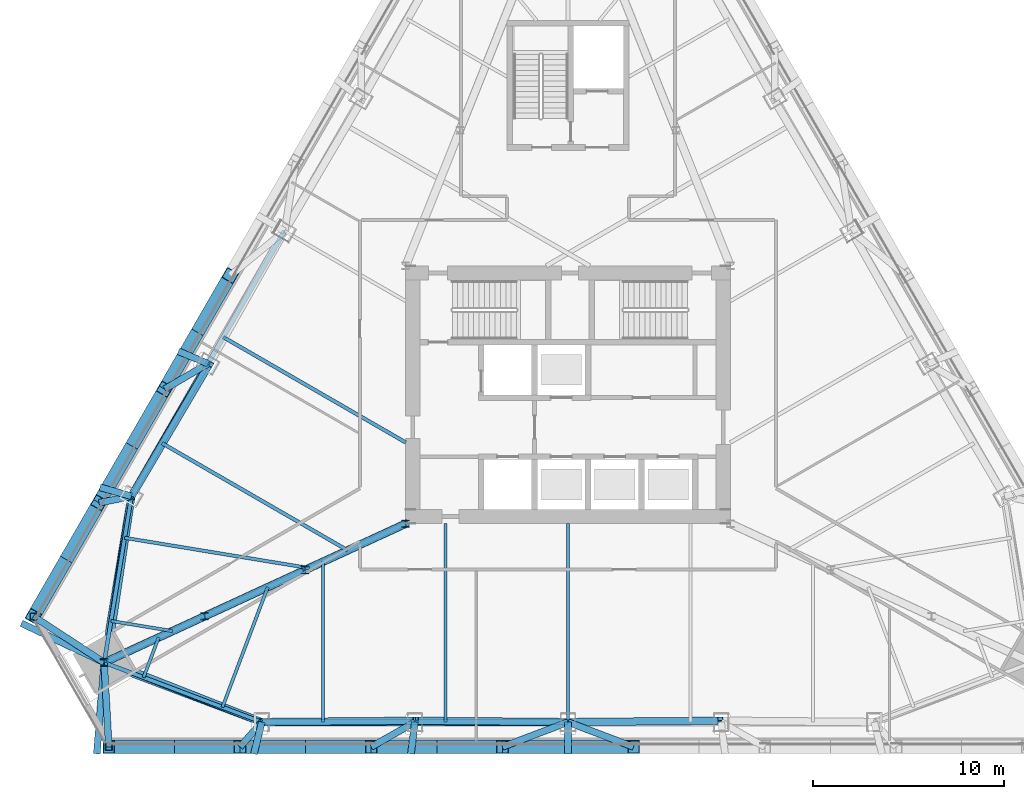
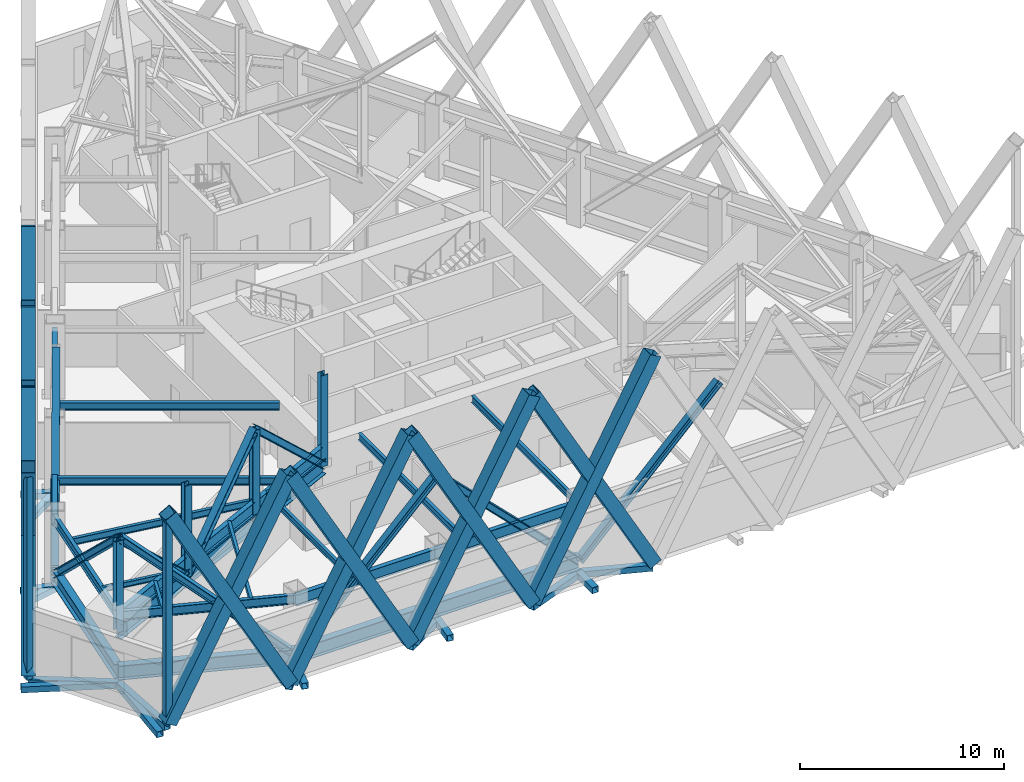
# One storey, part 2 of 16: 52 members, 14 beams.
"""IFC4 building model written with IfcOpenShell, lengths in metres."""

from ifc_helpers import new_model, si_unit, direction, frame, origin, origin_2d, place, context, subcontext, project, spatial, hollow_rectangle, i_section, extrude, material, material_profile, profile_set, type_object, element, save


model = new_model("IFC4")

# Units and contexts
model_context = context("Model", 3, precision=1e-05, world=origin(), true_north=direction((0.0, 1.0)))
body_context = subcontext(model_context, "Body", "Model", "MODEL_VIEW")
ifc_project = project(units=[si_unit("LENGTHUNIT", "METRE"), si_unit("AREAUNIT", "SQUARE_METRE"), si_unit("VOLUMEUNIT", "CUBIC_METRE"), si_unit("PLANEANGLEUNIT", "RADIAN"), si_unit("MASSUNIT", "GRAM", prefix="KILO")], contexts=[model_context])

# Site, building, storey
site_placement = place(None, origin())
site = spatial("IfcSite", under=ifc_project, at=site_placement, CompositionType="ELEMENT")
building_placement = place(site_placement, origin())
building = spatial("IfcBuilding", under=site, at=building_placement, Name="Firuza Gate Tower and Library", CompositionType="ELEMENT")
storey_placement = place(building_placement, frame((0.0, 0.0, 247.60009765625)))
storey = spatial("IfcBuildingStorey", under=building, at=storey_placement, Name="L58", CompositionType="ELEMENT", Elevation=247.60009765625)

# Members
ifc_material_1 = material(Name="Steel S355", Category="steel")
ifc_material_profile_1 = material_profile(ifc_material_1, hollow_rectangle(XDim=0.699951171875, YDim=0.699951171875, WallThickness=0.030029296875, at=origin_2d()))
ifc_profile_set_1 = profile_set([ifc_material_profile_1], Name="Steel S355")
member_type_1 = type_object("IfcMemberType", Name="BU700x700x30 Lattice brace", PredefinedType="BRACE", material=ifc_profile_set_1)
for number, where, z_axis, x_axis, name in (
    (1, (50.949951171875, 56.557861328125, 0.0), (0.481734771435, 0.0, 0.876317071607), (0.0, 1.0, 0.0), "Lattice brace S 14.1R"),
    (2, (57.821533203125, 56.557861328125, 0.0), (-0.481734771435, 0.0, 0.876317071607), (0.0, -1.0, 0.0), "Lattice brace S 14.1L"),
    (3, (57.821533203125, 56.557861328125, 0.0), (0.481721627687, 0.0, 0.876324296947), (0.0, 1.0, 0.0), "Lattice brace S 14.2R"),
    (4, (64.69287109375, 56.557861328125, 0.0), (-0.481721627687, 0.0, 0.876324296947), (0.0, -1.0, 0.0), "Lattice brace S 14.2L"),
    (5, (64.69287109375, 56.557861328125, 0.0), (0.481721627687, 0.0, 0.876324296947), (0.0, 1.0, 0.0), "Lattice brace S 14.3R"),
    (6, (71.564208984375, 56.557861328125, 0.0), (-0.481721627687, 0.0, 0.876324296947), (0.0, -1.0, 0.0), "Lattice brace S 14.3L"),
    (7, (71.564208984375, 56.557861328125, 0.0), (0.481734771435, 0.0, 0.876317071607), (0.0, 1.0, 0.0), "Lattice brace S 14.4R"),
    (8, (78.435791015625, 56.557861328125, 0.0), (-0.481734771435, 0.0, 0.876317071607), (0.0, -1.0, 0.0), "Lattice brace S 14.4L"),
    (9, (57.310791015625, 81.24560546875, 0.0), (-0.240869365347, -0.417178278333, 0.876324273842), (0.866015179631, -0.500017708335, 0.0), "Lattice brace W 14.5R"),
    (10, (53.875, 75.294921875, 0.0), (0.240869365347, 0.417178278333, 0.876324273842), (-0.866015179631, 0.500017708335, 0.0), "Lattice brace W 14.5L"),
    (11, (53.875, 75.294921875, 0.0), (-0.24086764545, -0.417192415111, 0.876318016561), (0.866024062422, -0.500002323301, 0.0), "Lattice brace W 14.6R"),
    (12, (50.439208984375, 69.343994140625, 0.0), (0.24086764545, 0.417192415111, 0.876318016561), (-0.866024062422, 0.500002323301, 0.0), "Lattice brace W 14.6L"),
    (13, (50.439208984375, 69.343994140625, 0.0), (-0.240851522763, -0.417194134974, 0.876321629156), (0.866039446924, -0.499975675779, 0.0), "Lattice brace W 14.7R"),
    (14, (47.003662109375, 63.39306640625, 0.0), (0.240851522763, 0.417194134974, 0.876321629156), (-0.866039446924, 0.499975675779, 0.0), "Lattice brace W 14.7L"),
):
    element("IfcMember", number, at=place(storey_placement, frame(where, z_axis=z_axis, x_axis=x_axis)), inside=storey, type_object=member_type_1, Name=name, PredefinedType="BRACE", context=body_context, shape_type="SweptSolid", body=[
        extrude(hollow_rectangle(XDim=0.699951171875, YDim=0.699951171875, WallThickness=0.030029296875, at=origin_2d()), origin(), (0.0, 0.0, 1.0), 14.26416015625),
    ])
ifc_material_2 = material(Name="Steel S355", Category="steel")
ifc_material_profile_2 = material_profile(ifc_material_2, hollow_rectangle(XDim=0.355712890625, YDim=0.355712890625, WallThickness=0.014892578125, at=origin_2d()))
ifc_profile_set_2 = profile_set([ifc_material_profile_2], Name="Steel S355")
member_type_2 = type_object("IfcMemberType", Name="HSS356x356x16 Lattice corner stile", PredefinedType="BRACE", material=ifc_profile_set_2)
for number, where, z_axis, x_axis, name in (
    (15, (50.949951171875, 56.557861328125, -0.14013671875), (0.0, 0.0, 1.0), (1.0, 0.0, 0.0), "Lattice corner stile S 14.A"),
    (16, (47.003662109375, 63.39306640625, -0.14013671875), (0.0, 0.0, 1.0), (1.0, 0.0, 0.0), "Lattice corner stile W 14.B"),
):
    element("IfcMember", number, at=place(storey_placement, frame(where, z_axis=z_axis, x_axis=x_axis)), inside=storey, type_object=member_type_2, Name=name, PredefinedType="BRACE", context=body_context, shape_type="SweptSolid", body=[
        extrude(hollow_rectangle(XDim=0.355712890625, YDim=0.355712890625, WallThickness=0.014892578125, at=origin_2d()), origin(), (0.0, 0.0, 1.0), 12.14013671875),
    ])
ifc_material_3 = material(Name="Steel S355", Category="steel")
ifc_material_profile_3 = material_profile(ifc_material_3, hollow_rectangle(XDim=0.355712890625, YDim=0.355712890625, WallThickness=0.014892578125, at=origin_2d()))
ifc_profile_set_3 = profile_set([ifc_material_profile_3], Name="Steel S355")
member_type_3 = type_object("IfcMemberType", Name="HSS356x356x16 Lattice node tie", PredefinedType="BRACE", material=ifc_profile_set_3)
member_1_placement = place(storey_placement, frame((50.708740234375, 60.9755859375, -0.320068359375), z_axis=(-0.080344210423, -0.996767178358, 0.0), x_axis=(0.996767178358, -0.080344210423, 0.0)))
element("IfcMember", 17, at=member_1_placement, inside=storey, type_object=member_type_3, Name="Lattice node tie S L58 337", PredefinedType="BRACE", context=body_context, shape_type="SweptSolid", body=[
    extrude(hollow_rectangle(XDim=0.355712890625, YDim=0.355712890625, WallThickness=0.014892578125, at=origin_2d()), origin(), (0.0, 0.0, 1.0), 4.794921875),
])
member_2_placement = place(storey_placement, frame((50.708740234375, 60.9755859375, -0.320068359375), z_axis=(0.054519511079, -0.998512705433, 0.0), x_axis=(0.998512705433, 0.054519511079, 0.0)))
element("IfcMember", 18, at=member_2_placement, inside=storey, type_object=member_type_3, Name="Lattice node tie S L58 338", PredefinedType="BRACE", context=body_context, shape_type="SweptSolid", body=[
    extrude(hollow_rectangle(XDim=0.355712890625, YDim=0.355712890625, WallThickness=0.014892578125, at=origin_2d()), origin(), (0.0, 0.0, 1.0), 4.42431640625),
])
member_3_placement = place(storey_placement, frame((58.966552734375, 57.85791015625, -0.320068359375), z_axis=(-0.660945524086, -0.750433883957, 0.0), x_axis=(0.750433883957, -0.660945524086, 0.0)))
element("IfcMember", 19, at=member_3_placement, inside=storey, type_object=member_type_3, Name="Lattice node tie S L58 339", PredefinedType="BRACE", context=body_context, shape_type="SweptSolid", body=[
    extrude(hollow_rectangle(XDim=0.355712890625, YDim=0.355712890625, WallThickness=0.014892578125, at=origin_2d()), origin(), (0.0, 0.0, 1.0), 1.732421875),
])
member_4_placement = place(storey_placement, frame((58.966552734375, 57.85791015625, -0.320068359375), z_axis=(-0.243775802873, -0.969831613185, 0.0), x_axis=(0.969831613185, -0.243775802873, 0.0)))
element("IfcMember", 20, at=member_4_placement, inside=storey, type_object=member_type_3, Name="Lattice node tie S L58 340", PredefinedType="BRACE", context=body_context, shape_type="SweptSolid", body=[
    extrude(hollow_rectangle(XDim=0.355712890625, YDim=0.355712890625, WallThickness=0.014892578125, at=origin_2d()), origin(), (0.0, 0.0, 1.0), 1.713623046875),
])
member_5_placement = place(storey_placement, frame((66.9833984375, 57.85791015625, -0.320068359375), z_axis=(-0.86968268875, -0.493611204177, 0.0), x_axis=(0.493611204177, -0.86968268875, 0.0)))
element("IfcMember", 21, at=member_5_placement, inside=storey, type_object=member_type_3, Name="Lattice node tie S L58 341", PredefinedType="BRACE", context=body_context, shape_type="SweptSolid", body=[
    extrude(hollow_rectangle(XDim=0.355712890625, YDim=0.355712890625, WallThickness=0.014892578125, at=origin_2d()), origin(), (0.0, 0.0, 1.0), 2.6337890625),
])
member_6_placement = place(storey_placement, frame((66.9833984375, 57.85791015625, -0.320068359375), z_axis=(-0.124770225929, -0.992185663433, 0.0), x_axis=(0.992185663433, -0.124770225929, 0.0)))
element("IfcMember", 22, at=member_6_placement, inside=storey, type_object=member_type_3, Name="Lattice node tie S L58 342", PredefinedType="BRACE", context=body_context, shape_type="SweptSolid", body=[
    extrude(hollow_rectangle(XDim=0.355712890625, YDim=0.355712890625, WallThickness=0.014892578125, at=origin_2d()), origin(), (0.0, 0.0, 1.0), 1.675048828125),
])
member_7_placement = place(storey_placement, frame((75.0, 57.85791015625, -0.320068359375), z_axis=(-0.935284473867, -0.353896811152, 0.0), x_axis=(0.353896811152, -0.935284473867, 0.0)))
element("IfcMember", 23, at=member_7_placement, inside=storey, type_object=member_type_3, Name="Lattice node tie S L58 343", PredefinedType="BRACE", context=body_context, shape_type="SweptSolid", body=[
    extrude(hollow_rectangle(XDim=0.355712890625, YDim=0.355712890625, WallThickness=0.014892578125, at=origin_2d()), origin(), (0.0, 0.0, 1.0), 3.673583984375),
])
member_8_placement = place(storey_placement, frame((75.0, 57.85791015625, -0.320068359375), z_axis=(0.0, -1.0, 0.0), x_axis=(1.0, 0.0, 0.0)))
element("IfcMember", 24, at=member_8_placement, inside=storey, type_object=member_type_3, Name="Lattice node tie S L58 344", PredefinedType="BRACE", context=body_context, shape_type="SweptSolid", body=[
    extrude(hollow_rectangle(XDim=0.355712890625, YDim=0.355712890625, WallThickness=0.014892578125, at=origin_2d()), origin(), (0.0, 0.0, 1.0), 1.661865234375),
])
member_9_placement = place(storey_placement, frame((75.0, 57.85791015625, -0.320068359375), z_axis=(0.935284473867, -0.353896811152, 0.0), x_axis=(0.353896811152, 0.935284473867, 0.0)))
element("IfcMember", 25, at=member_9_placement, inside=storey, type_object=member_type_3, Name="Lattice node tie S L58 345", PredefinedType="BRACE", context=body_context, shape_type="SweptSolid", body=[
    extrude(hollow_rectangle(XDim=0.355712890625, YDim=0.355712890625, WallThickness=0.014892578125, at=origin_2d()), origin(), (0.0, 0.0, 1.0), 3.673583984375),
])
member_10_placement = place(storey_placement, frame((52.1376953125, 69.685791015625, -0.320068359375), z_axis=(-0.980346931296, -0.197281256837, 0.0), x_axis=(0.197281256837, -0.980346931296, 0.0)))
element("IfcMember", 26, at=member_10_placement, inside=storey, type_object=member_type_3, Name="Lattice node tie W L58 352", PredefinedType="BRACE", context=body_context, shape_type="SweptSolid", body=[
    extrude(hollow_rectangle(XDim=0.355712890625, YDim=0.355712890625, WallThickness=0.014892578125, at=origin_2d()), origin(), (0.0, 0.0, 1.0), 1.732421875),
])
member_11_placement = place(storey_placement, frame((50.708740234375, 60.9755859375, -0.320068359375), z_axis=(-0.903414110415, 0.42876910465, 0.0), x_axis=(-0.42876910465, -0.903414110415, 0.0)))
element("IfcMember", 27, at=member_11_placement, inside=storey, type_object=member_type_3, Name="Lattice node tie W L58 353", PredefinedType="BRACE", context=body_context, shape_type="SweptSolid", body=[
    extrude(hollow_rectangle(XDim=0.355712890625, YDim=0.355712890625, WallThickness=0.014892578125, at=origin_2d()), origin(), (0.0, 0.0, 1.0), 4.794921875),
])
member_12_placement = place(storey_placement, frame((50.708740234375, 60.9755859375, -0.320068359375), z_axis=(-0.837494205357, 0.546446205947, 0.0), x_axis=(-0.546446205947, -0.837494205357, 0.0)))
element("IfcMember", 28, at=member_12_placement, inside=storey, type_object=member_type_3, Name="Lattice node tie W L58 354", PredefinedType="BRACE", context=body_context, shape_type="SweptSolid", body=[
    extrude(hollow_rectangle(XDim=0.355712890625, YDim=0.355712890625, WallThickness=0.014892578125, at=origin_2d()), origin(), (0.0, 0.0, 1.0), 4.424072265625),
])
member_13_placement = place(storey_placement, frame((56.14599609375, 76.62841796875, -0.320068359375), z_axis=(-0.862329552009, -0.506347453566, 0.0), x_axis=(0.506347453566, -0.862329552009, 0.0)))
element("IfcMember", 29, at=member_13_placement, inside=storey, type_object=member_type_3, Name="Lattice node tie W L58 355", PredefinedType="BRACE", context=body_context, shape_type="SweptSolid", body=[
    extrude(hollow_rectangle(XDim=0.355712890625, YDim=0.355712890625, WallThickness=0.014892578125, at=origin_2d()), origin(), (0.0, 0.0, 1.0), 2.633544921875),
])
member_14_placement = place(storey_placement, frame((52.1376953125, 69.685791015625, -0.320068359375), z_axis=(-0.96177088968, 0.27385535555, 0.0), x_axis=(-0.27385535555, -0.96177088968, 0.0)))
element("IfcMember", 30, at=member_14_placement, inside=storey, type_object=member_type_3, Name="Lattice node tie W L58 356", PredefinedType="BRACE", context=body_context, shape_type="SweptSolid", body=[
    extrude(hollow_rectangle(XDim=0.355712890625, YDim=0.355712890625, WallThickness=0.014892578125, at=origin_2d()), origin(), (0.0, 0.0, 1.0), 1.71337890625),
])
member_15_placement = place(storey_placement, frame((56.14599609375, 76.62841796875, -0.320068359375), z_axis=(-0.921577741715, 0.388193851026, 0.0), x_axis=(-0.388193851026, -0.921577741715, 0.0)))
element("IfcMember", 31, at=member_15_placement, inside=storey, type_object=member_type_3, Name="Lattice node tie W L58 358", PredefinedType="BRACE", context=body_context, shape_type="SweptSolid", body=[
    extrude(hollow_rectangle(XDim=0.355712890625, YDim=0.355712890625, WallThickness=0.014892578125, at=origin_2d()), origin(), (0.0, 0.0, 1.0), 1.6748046875),
])

# Beams
ifc_material_4 = material(Name="Steel S355", Category="steel")
ifc_material_profile_4 = material_profile(ifc_material_4, i_section(OverallWidth=0.1650390625, OverallDepth=0.31005859375, WebThickness=0.005859375, FlangeThickness=0.009765625, at=origin_2d()))
ifc_profile_set_4 = profile_set([ifc_material_profile_4], Name="Steel S355")
beam_type_1 = type_object("IfcBeamType", Name="W310x39 Floor beam", PredefinedType="JOIST", material=ifc_profile_set_4)
beam_1_placement = place(storey_placement, frame((51.066162109375, 63.153076171875, 3.89501953125), z_axis=(0.986811026998, -0.16187648685, 0.0), x_axis=(0.16187648685, 0.986811026998, 0.0)))
element("IfcBeam", 32, at=beam_1_placement, inside=storey, type_object=beam_type_1, Name="Floor beam L58 s01", PredefinedType="JOIST", context=body_context, shape_type="SweptSolid", body=[
    extrude(i_section(OverallWidth=0.1650390625, OverallDepth=0.31005859375, WebThickness=0.005859375, FlangeThickness=0.009765625, at=origin_2d()), origin(), (0.0, 0.0, 1.0), 3.26513671875),
])
beam_2_placement = place(storey_placement, frame((52.773193359375, 60.196044921875, 3.89501953125), z_axis=(0.353273342265, 0.935520147108, 0.0), x_axis=(-0.935520147108, 0.353273342265, 0.0)))
element("IfcBeam", 33, at=beam_2_placement, inside=storey, type_object=beam_type_1, Name="Floor beam L58 s10", PredefinedType="JOIST", context=body_context, shape_type="SweptSolid", body=[
    extrude(i_section(OverallWidth=0.1650390625, OverallDepth=0.31005859375, WebThickness=0.005859375, FlangeThickness=0.009765625, at=origin_2d()), origin(), (0.0, 0.0, 1.0), 2.239013671875),
])
beam_3_placement = place(storey_placement, frame((56.902099609375, 58.63720703125, 3.89501953125), z_axis=(0.353229521926, 0.935536693476, 0.0), x_axis=(-0.935536693476, 0.353229521926, 0.0)))
element("IfcBeam", 34, at=beam_3_placement, inside=storey, type_object=beam_type_1, Name="Floor beam L58 s11", PredefinedType="JOIST", context=body_context, shape_type="SweptSolid", body=[
    extrude(i_section(OverallWidth=0.1650390625, OverallDepth=0.31005859375, WebThickness=0.005859375, FlangeThickness=0.009765625, at=origin_2d()), origin(), (0.0, 0.0, 1.0), 6.717529296875),
])

# Members
ifc_material_5 = material(Name="Steel S355", Category="steel")
ifc_material_profile_5 = material_profile(ifc_material_5, i_section(OverallWidth=0.39404296875, OverallDepth=0.375, WebThickness=0.017333984375, FlangeThickness=0.027587890625, at=origin_2d()))
ifc_profile_set_5 = profile_set([ifc_material_profile_5], Name="Steel S355")
member_type_4 = type_object("IfcMemberType", Name="W360x216 Belt truss diagonal", PredefinedType="BRACE", material=ifc_profile_set_5)
for number, where, z_axis, x_axis, name in (
    (35, (52.1376953125, 69.685791015625, 0.427490234375), (-0.110425886634, -0.731527564293, 0.672810185892), (0.988797763744, -0.149261456564, 0.0), "Belt truss diagonal L58 1"),
    (36, (50.833740234375, 61.047607421875, 8.372314453125), (0.688734253821, -0.270122269037, -0.67281430379), (0.365123148673, 0.93095922913, 0.0), "Belt truss diagonal L58 2"),
):
    element("IfcMember", number, at=place(storey_placement, frame(where, z_axis=z_axis, x_axis=x_axis)), inside=storey, type_object=member_type_4, Name=name, PredefinedType="BRACE", context=body_context, shape_type="SweptSolid", body=[
        extrude(i_section(OverallWidth=0.39404296875, OverallDepth=0.375, WebThickness=0.017333984375, FlangeThickness=0.027587890625, at=origin_2d()), origin(), (0.0, 0.0, 1.0), 11.808349609375),
    ])
member_16_placement = place(storey_placement, frame((58.966552734375, 57.85791015625, 0.427490234375), z_axis=(0.712090607454, 0.006364308456, 0.702058731413), x_axis=(-0.008937141169, 0.999960062956, 0.0)))
element("IfcMember", 37, at=member_16_placement, inside=storey, type_object=member_type_4, Name="Belt truss diagonal L58 3", PredefinedType="BRACE", context=body_context, shape_type="SweptSolid", body=[
    extrude(i_section(OverallWidth=0.39404296875, OverallDepth=0.375, WebThickness=0.017333984375, FlangeThickness=0.027587890625, at=origin_2d()), origin(), (0.0, 0.0, 1.0), 11.31640625),
])
for number, where, z_axis, x_axis, name in (
    (38, (67.02490234375, 57.929931640625, 8.372314453125), (0.708435640639, -0.006397738137, -0.705746421896), (0.009030428315, 0.999959224851, 0.0), "Belt truss diagonal L58 4"),
    (39, (75.0, 57.85791015625, 0.427490234375), (0.708435640639, 0.006397738137, 0.705746421896), (-0.009030428315, 0.999959224851, 0.0), "Belt truss diagonal L58 5"),
):
    element("IfcMember", number, at=place(storey_placement, frame(where, z_axis=z_axis, x_axis=x_axis)), inside=storey, type_object=member_type_4, Name=name, PredefinedType="BRACE", context=body_context, shape_type="SweptSolid", body=[
        extrude(i_section(OverallWidth=0.39404296875, OverallDepth=0.375, WebThickness=0.017333984375, FlangeThickness=0.027587890625, at=origin_2d()), origin(), (0.0, 0.0, 1.0), 11.25732421875),
    ])
member_17_placement = place(storey_placement, frame((56.2294921875, 76.62841796875, 8.372314453125), z_axis=(-0.361578048744, -0.613496120056, -0.702056853355), x_axis=(0.861505568786, -0.507748121562, 0.0)))
element("IfcMember", 40, at=member_17_placement, inside=storey, type_object=member_type_4, Name="Belt truss diagonal L58 18", PredefinedType="BRACE", context=body_context, shape_type="SweptSolid", body=[
    extrude(i_section(OverallWidth=0.39404296875, OverallDepth=0.375, WebThickness=0.017333984375, FlangeThickness=0.027587890625, at=origin_2d()), origin(), (0.0, 0.0, 1.0), 11.31640625),
])
ifc_material_6 = material(Name="Steel S355", Category="steel")
ifc_material_profile_6 = material_profile(ifc_material_6, i_section(OverallWidth=0.39404296875, OverallDepth=0.375, WebThickness=0.017333984375, FlangeThickness=0.027587890625, at=origin_2d()))
ifc_profile_set_6 = profile_set([ifc_material_profile_6], Name="Steel S355")
member_type_5 = type_object("IfcMemberType", Name="W360x216 Outrigger post", PredefinedType="POST", material=ifc_profile_set_6)
for number, where, z_axis, x_axis, name in (
    (41, (66.5, 68.25, 2.85595703125), (0.0, 0.0, 1.0), (1.0, 0.0, 0.0), "Outrigger SW L58 post 1"),
    (42, (61.236328125, 65.8251953125, 2.85595703125), (0.0, 0.0, 1.0), (1.0, 0.0, 0.0), "Outrigger SW L58 post 2"),
    (43, (55.97265625, 63.400390625, 2.85595703125), (0.0, 0.0, 1.0), (1.0, 0.0, 0.0), "Outrigger SW L58 post 3"),
    (44, (50.708740234375, 60.9755859375, 2.85595703125), (0.0, 0.0, 1.0), (1.0, 0.0, 0.0), "Outrigger SW L58 post 4"),
):
    element("IfcMember", number, at=place(storey_placement, frame(where, z_axis=z_axis, x_axis=x_axis)), inside=storey, type_object=member_type_5, Name=name, PredefinedType="POST", context=body_context, shape_type="SweptSolid", body=[
        extrude(i_section(OverallWidth=0.39404296875, OverallDepth=0.375, WebThickness=0.017333984375, FlangeThickness=0.027587890625, at=origin_2d()), origin(), (0.0, 0.0, 1.0), 5.488037109375),
    ])
ifc_material_7 = material(Name="Steel S355", Category="steel")
ifc_material_profile_7 = material_profile(ifc_material_7, i_section(OverallWidth=0.39794921875, OverallDepth=0.386962890625, WebThickness=0.02099609375, FlangeThickness=0.033203125, at=origin_2d()))
ifc_profile_set_7 = profile_set([ifc_material_profile_7], Name="Steel S355")
member_type_6 = type_object("IfcMemberType", Name="W360x262 Outrigger diagonal", PredefinedType="BRACE", material=ifc_profile_set_7)
for number, where, z_axis, x_axis, name in (
    (45, (66.5, 68.25, 2.85595703125), (-0.659483376378, -0.303802824406, 0.687594008238), (0.418406229857, -0.908259999569, 0.0), "Outrigger SW L58 diagonal 1"),
    (46, (61.236328125, 65.8251953125, 8.343994140625), (-0.659483376378, -0.303802824406, -0.687594008238), (0.418406229857, -0.908259999569, 0.0), "Outrigger SW L58 diagonal 2"),
):
    element("IfcMember", number, at=place(storey_placement, frame(where, z_axis=z_axis, x_axis=x_axis)), inside=storey, type_object=member_type_6, Name=name, PredefinedType="BRACE", context=body_context, shape_type="SweptSolid", body=[
        extrude(i_section(OverallWidth=0.39794921875, OverallDepth=0.386962890625, WebThickness=0.02099609375, FlangeThickness=0.033203125, at=origin_2d()), origin(), (0.0, 0.0, 1.0), 7.9814453125),
    ])
member_18_placement = place(storey_placement, frame((55.97265625, 63.400390625, 2.85595703125), z_axis=(-0.659500660733, -0.303796695997, 0.68758013787), x_axis=(0.4183902212, -0.908267374072, 0.0)))
element("IfcMember", 47, at=member_18_placement, inside=storey, type_object=member_type_6, Name="Outrigger SW L58 diagonal 3", PredefinedType="BRACE", context=body_context, shape_type="SweptSolid", body=[
    extrude(i_section(OverallWidth=0.39794921875, OverallDepth=0.386962890625, WebThickness=0.02099609375, FlangeThickness=0.033203125, at=origin_2d()), origin(), (0.0, 0.0, 1.0), 7.981689453125),
])

# Beams
ifc_material_8 = material(Name="Steel S355", Category="steel")
ifc_material_profile_8 = material_profile(ifc_material_8, i_section(OverallWidth=0.1708984375, OverallDepth=0.35498046875, WebThickness=0.007080078125, FlangeThickness=0.01171875, at=origin_2d()))
ifc_profile_set_8 = profile_set([ifc_material_profile_8], Name="Steel S355")
beam_type_2 = type_object("IfcBeamType", Name="W360x51 Floor beam", PredefinedType="JOIST", material=ifc_profile_set_8)
beam_4_placement = place(storey_placement, frame((62.17333984375, 57.85791015625, 3.872314453125), z_axis=(0.0, 1.0, 0.0), x_axis=(-1.0, 0.0, 0.0)))
element("IfcBeam", 48, at=beam_4_placement, inside=storey, type_object=beam_type_2, Name="Floor beam L58 s20", PredefinedType="JOIST", context=body_context, shape_type="SweptSolid", body=[
    extrude(i_section(OverallWidth=0.1708984375, OverallDepth=0.35498046875, WebThickness=0.007080078125, FlangeThickness=0.01171875, at=origin_2d()), origin(), (0.0, 0.0, 1.0), 8.39892578125),
])
ifc_material_9 = material(Name="Steel S355", Category="steel")
ifc_material_profile_9 = material_profile(ifc_material_9, i_section(OverallWidth=0.177978515625, OverallDepth=0.406982421875, WebThickness=0.0078125, FlangeThickness=0.0126953125, at=origin_2d()))
ifc_profile_set_9 = profile_set([ifc_material_profile_9], Name="Steel S355")
beam_type_3 = type_object("IfcBeamType", Name="W410x60 Floor beam", PredefinedType="JOIST", material=ifc_profile_set_9)
beam_5_placement = place(storey_placement, frame((51.780517578125, 67.50830078125, 3.846435546875), z_axis=(0.986807698697, -0.161896775116, 0.0), x_axis=(0.161896775116, 0.986807698697, 0.0)))
element("IfcBeam", 49, at=beam_5_placement, inside=storey, type_object=beam_type_3, Name="Floor beam L58 s00", PredefinedType="JOIST", context=body_context, shape_type="SweptSolid", body=[
    extrude(i_section(OverallWidth=0.177978515625, OverallDepth=0.406982421875, WebThickness=0.0078125, FlangeThickness=0.0126953125, at=origin_2d()), origin(), (0.0, 0.0, 1.0), 9.7958984375),
])
for number, where, z_axis, x_axis, name in (
    (50, (68.586669921875, 57.85791015625, 3.846435546875), (0.0, 1.0, 0.0), (-1.0, 0.0, 0.0), "Floor beam L58 s21"),
    (51, (75.0, 57.85791015625, 3.846435546875), (0.0, 1.0, 0.0), (-1.0, 0.0, 0.0), "Floor beam L58 s22"),
):
    element("IfcBeam", number, at=place(storey_placement, frame(where, z_axis=z_axis, x_axis=x_axis)), inside=storey, type_object=beam_type_3, Name=name, PredefinedType="JOIST", context=body_context, shape_type="SweptSolid", body=[
        extrude(i_section(OverallWidth=0.177978515625, OverallDepth=0.406982421875, WebThickness=0.0078125, FlangeThickness=0.0126953125, at=origin_2d()), origin(), (0.0, 0.0, 1.0), 10.39208984375),
    ])
ifc_material_10 = material(Name="Steel S355", Category="steel")
ifc_material_profile_10 = material_profile(ifc_material_10, i_section(OverallWidth=0.18994140625, OverallDepth=0.45703125, WebThickness=0.009033203125, FlangeThickness=0.014404296875, at=origin_2d()))
ifc_profile_set_10 = profile_set([ifc_material_profile_10], Name="Steel S355")
beam_type_4 = type_object("IfcBeamType", Name="W460x74 Floor beam", PredefinedType="JOIST", material=ifc_profile_set_10)
beam_6_placement = place(storey_placement, frame((56.94775390625, 78.01708984375, 3.8212890625), z_axis=(0.866019716681, -0.500009850223, 0.0), x_axis=(0.500009850223, 0.866019716681, 0.0)))
element("IfcBeam", 52, at=beam_6_placement, inside=storey, type_object=beam_type_4, Name="Floor beam L58 s83", PredefinedType="JOIST", context=body_context, shape_type="SweptSolid", body=[
    extrude(i_section(OverallWidth=0.18994140625, OverallDepth=0.45703125, WebThickness=0.009033203125, FlangeThickness=0.014404296875, at=origin_2d()), origin(), (0.0, 0.0, 1.0), 11.030029296875),
])
beam_7_placement = place(storey_placement, frame((53.7412109375, 72.462890625, 3.8212890625), z_axis=(0.866023315909, -0.500003616288, 0.0), x_axis=(0.500003616288, 0.866023315909, 0.0)))
element("IfcBeam", 53, at=beam_7_placement, inside=storey, type_object=beam_type_4, Name="Floor beam L58 s84", PredefinedType="JOIST", context=body_context, shape_type="SweptSolid", body=[
    extrude(i_section(OverallWidth=0.18994140625, OverallDepth=0.45703125, WebThickness=0.009033203125, FlangeThickness=0.014404296875, at=origin_2d()), origin(), (0.0, 0.0, 1.0), 11.224609375),
])
ifc_material_11 = material(Name="Steel S355", Category="steel")
ifc_material_profile_11 = material_profile(ifc_material_11, i_section(OverallWidth=0.212890625, OverallDepth=0.5390625, WebThickness=0.01171875, FlangeThickness=0.018798828125, at=origin_2d()))
ifc_profile_set_11 = profile_set([ifc_material_profile_11], Name="Steel S355")
beam_type_5 = type_object("IfcBeamType", Name="W530x109 Edge beam", PredefinedType="SPANDREL", material=ifc_profile_set_11)
for number, where, z_axis, x_axis, name in (
    (54, (52.1376953125, 69.685791015625, 3.780517578125), (-0.16189115828, -0.986808620185, 0.0), (0.986808620185, -0.16189115828, 0.0), "Edge beam L58 e00"),
    (55, (50.708740234375, 60.9755859375, 3.780517578125), (0.935544819698, -0.353207998686, 0.0), (0.353207998686, 0.935544819698, 0.0), "Edge beam L58 e10"),
):
    element("IfcBeam", number, at=place(storey_placement, frame(where, z_axis=z_axis, x_axis=x_axis)), inside=storey, type_object=beam_type_5, Name=name, PredefinedType="SPANDREL", context=body_context, shape_type="SweptSolid", body=[
        extrude(i_section(OverallWidth=0.212890625, OverallDepth=0.5390625, WebThickness=0.01171875, FlangeThickness=0.018798828125, at=origin_2d()), origin(), (0.0, 0.0, 1.0), 8.82666015625),
    ])
ifc_material_12 = material(Name="Steel S355", Category="steel")
ifc_material_profile_12 = material_profile(ifc_material_12, i_section(OverallWidth=0.2529296875, OverallDepth=0.677978515625, WebThickness=0.01171875, FlangeThickness=0.016357421875, at=origin_2d()))
ifc_profile_set_12 = profile_set([ifc_material_profile_12], Name="Steel S355")
beam_type_6 = type_object("IfcBeamType", Name="W690x125 Edge beam", PredefinedType="SPANDREL", material=ifc_profile_set_12)
for number, where, z_axis, x_axis, name in (
    (56, (58.966552734375, 57.85791015625, 3.7109375), (1.0, 0.0, 0.0), (0.0, 1.0, 0.0), "Edge beam L58 e20"),
    (57, (60.154541015625, 83.571044921875, 3.7109375), (-0.50000891679, -0.866020255612, 0.0), (0.866020255612, -0.50000891679, 0.0), "Edge beam L58 e82"),
):
    element("IfcBeam", number, at=place(storey_placement, frame(where, z_axis=z_axis, x_axis=x_axis)), inside=storey, type_object=beam_type_6, Name=name, PredefinedType="SPANDREL", context=body_context, shape_type="SweptSolid", body=[
        extrude(i_section(OverallWidth=0.2529296875, OverallDepth=0.677978515625, WebThickness=0.01171875, FlangeThickness=0.016357421875, at=origin_2d()), origin(), (0.0, 0.0, 1.0), 16.033447265625),
    ])
ifc_material_13 = material(Name="Steel S355", Category="steel")
ifc_material_profile_13 = material_profile(ifc_material_13, i_section(OverallWidth=0.264892578125, OverallDepth=0.7529296875, WebThickness=0.01318359375, FlangeThickness=0.01708984375, at=origin_2d()))
ifc_profile_set_13 = profile_set([ifc_material_profile_13], Name="Steel S355")
beam_type_7 = type_object("IfcBeamType", Name="W760x147 Girder", PredefinedType="BEAM", material=ifc_profile_set_13)
beam_8_placement = place(storey_placement, frame((50.708740234375, 60.9755859375, 3.67333984375), z_axis=(0.908262457831, 0.418400893516, 0.0), x_axis=(-0.418400893516, 0.908262457831, 0.0)))
element("IfcBeam", 58, at=beam_8_placement, inside=storey, type_object=beam_type_7, Name="Girder L58 gSW", PredefinedType="BEAM", context=body_context, shape_type="SweptSolid", body=[
    extrude(i_section(OverallWidth=0.264892578125, OverallDepth=0.7529296875, WebThickness=0.01318359375, FlangeThickness=0.01708984375, at=origin_2d()), origin(), (0.0, 0.0, 1.0), 17.38623046875),
])

# Members
ifc_material_14 = material(Name="Steel S355", Category="steel")
ifc_material_profile_14 = material_profile(ifc_material_14, i_section(OverallWidth=0.39990234375, OverallDepth=0.85498046875, WebThickness=0.018310546875, FlangeThickness=0.029296875, at=origin_2d()))
ifc_profile_set_14 = profile_set([ifc_material_profile_14], Name="Steel S355")
member_type_7 = type_object("IfcMemberType", Name="W840x299 Belt truss chord", PredefinedType="CHORD", material=ifc_profile_set_14)
for number, where, z_axis, x_axis, name in (
    (59, (52.1376953125, 69.685791015625, 0.427490234375), (-0.16189115828, -0.986808620185, 0.0), (0.986808620185, -0.16189115828, 0.0), "Belt truss bottom chord L58 1"),
    (60, (50.708740234375, 60.9755859375, 0.427490234375), (0.935544819698, -0.353207998686, 0.0), (0.353207998686, 0.935544819698, 0.0), "Belt truss bottom chord L58 2"),
):
    element("IfcMember", number, at=place(storey_placement, frame(where, z_axis=z_axis, x_axis=x_axis)), inside=storey, type_object=member_type_7, Name=name, PredefinedType="CHORD", context=body_context, shape_type="SweptSolid", body=[
        extrude(i_section(OverallWidth=0.39990234375, OverallDepth=0.85498046875, WebThickness=0.018310546875, FlangeThickness=0.029296875, at=origin_2d()), origin(), (0.0, 0.0, 1.0), 8.82666015625),
    ])
member_19_placement = place(storey_placement, frame((58.966552734375, 57.85791015625, 0.427490234375), z_axis=(1.0, 0.0, 0.0), x_axis=(0.0, 1.0, 0.0)))
element("IfcMember", 61, at=member_19_placement, inside=storey, type_object=member_type_7, Name="Belt truss bottom chord L58 3", PredefinedType="CHORD", context=body_context, shape_type="SweptSolid", body=[
    extrude(i_section(OverallWidth=0.39990234375, OverallDepth=0.85498046875, WebThickness=0.018310546875, FlangeThickness=0.029296875, at=origin_2d()), origin(), (0.0, 0.0, 1.0), 8.016845703125),
])
for number, where, z_axis, x_axis, name in (
    (62, (66.9833984375, 57.85791015625, 0.427490234375), (1.0, 0.0, 0.0), (0.0, 1.0, 0.0), "Belt truss bottom chord L58 4"),
    (63, (56.14599609375, 76.62841796875, 0.427490234375), (-0.499997496548, -0.866026849149, 0.0), (0.866026849149, -0.499997496548, 0.0), "Belt truss bottom chord L58 18"),
):
    element("IfcMember", number, at=place(storey_placement, frame(where, z_axis=z_axis, x_axis=x_axis)), inside=storey, type_object=member_type_7, Name=name, PredefinedType="CHORD", context=body_context, shape_type="SweptSolid", body=[
        extrude(i_section(OverallWidth=0.39990234375, OverallDepth=0.85498046875, WebThickness=0.018310546875, FlangeThickness=0.029296875, at=origin_2d()), origin(), (0.0, 0.0, 1.0), 8.0166015625),
    ])
ifc_material_15 = material(Name="Steel S355", Category="steel")
ifc_material_profile_15 = material_profile(ifc_material_15, i_section(OverallWidth=0.41796875, OverallDepth=0.912109375, WebThickness=0.019287109375, FlangeThickness=0.031982421875, at=origin_2d()))
ifc_profile_set_15 = profile_set([ifc_material_profile_15], Name="Steel S355")
member_type_8 = type_object("IfcMemberType", Name="W920x342 Outrigger chord", PredefinedType="CHORD", material=ifc_profile_set_15)
for number, where, z_axis, x_axis, name in (
    (64, (66.5, 68.25, 2.85595703125), (-0.908259999569, -0.418406229857, 0.0), (0.418406229857, -0.908259999569, 0.0), "Outrigger SW L58 bottom chord 1"),
    (65, (61.236328125, 65.8251953125, 2.85595703125), (-0.908259999569, -0.418406229857, 0.0), (0.418406229857, -0.908259999569, 0.0), "Outrigger SW L58 bottom chord 2"),
):
    element("IfcMember", number, at=place(storey_placement, frame(where, z_axis=z_axis, x_axis=x_axis)), inside=storey, type_object=member_type_8, Name=name, PredefinedType="CHORD", context=body_context, shape_type="SweptSolid", body=[
        extrude(i_section(OverallWidth=0.41796875, OverallDepth=0.912109375, WebThickness=0.019287109375, FlangeThickness=0.031982421875, at=origin_2d()), origin(), (0.0, 0.0, 1.0), 5.79541015625),
    ])
member_20_placement = place(storey_placement, frame((55.97265625, 63.400390625, 2.85595703125), z_axis=(-0.908267374072, -0.4183902212, 0.0), x_axis=(0.4183902212, -0.908267374072, 0.0)))
element("IfcMember", 66, at=member_20_placement, inside=storey, type_object=member_type_8, Name="Outrigger SW L58 bottom chord 3", PredefinedType="CHORD", context=body_context, shape_type="SweptSolid", body=[
    extrude(i_section(OverallWidth=0.41796875, OverallDepth=0.912109375, WebThickness=0.019287109375, FlangeThickness=0.031982421875, at=origin_2d()), origin(), (0.0, 0.0, 1.0), 5.795654296875),
])

save(model, "model.ifc")
